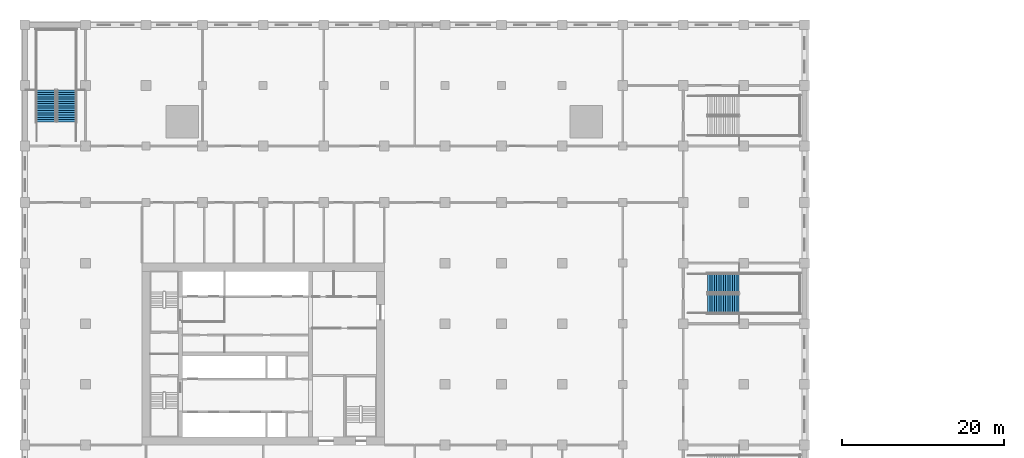
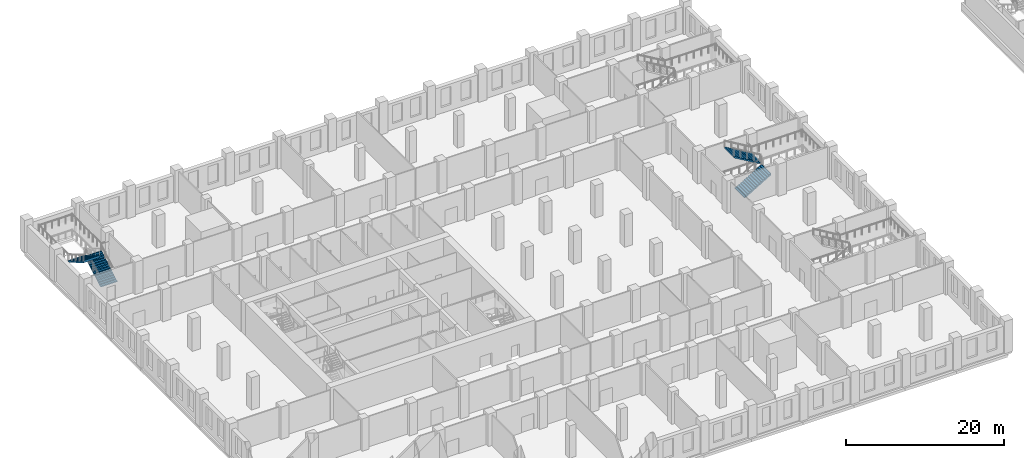
# One storey, part 17 of 32: 4 stair flights, 2 elements without a shape of their own.
"""IFC4 building model written with IfcOpenShell, lengths in metres."""

import ifcopenshell
import ifcopenshell.guid

model = None  # the IFC model being written
_history = None  # IfcOwnerHistory: only IFC2X3 demands one
_inside = {}  # id of a spatial element -> (the spatial element, [elements in it])
_under = {}  # id of a project, library or spatial element -> (it, [spatial elements below it])
_declared = {}  # id of a project -> (the project, [libraries it declares])
_typed = {}  # id of a type object -> (the type object, [elements of that type])
_made_of = {}  # id of a material, layer set ... -> (it, [elements and type objects made of it])


def new_model(schema):
    """Start an empty IFC model of exactly this schema.

    Asked for "IFC4X3", IfcOpenShell would pick the latest addendum, in which some entities
    have other attributes; the version numbers below select the first issue.
    IFC2X3 requires an IfcOwnerHistory on every rooted entity: one is made here for all.
    """
    global model, _history
    if schema == "IFC4X3":
        model = ifcopenshell.file(schema_version=(4, 3, 0, 0))
    else:
        model = ifcopenshell.file(schema=schema)
    _inside.clear()
    _under.clear()
    _declared.clear()
    _typed.clear()
    _made_of.clear()
    _history = None
    if model.schema == "IFC2X3":
        org = make("IfcOrganization", Name="unknown")
        user = make(
            "IfcPersonAndOrganization",
            ThePerson=make("IfcPerson", FamilyName="unknown"),
            TheOrganization=org,
        )
        app = make(
            "IfcApplication",
            ApplicationDeveloper=org,
            Version="unknown",
            ApplicationFullName="unknown",
            ApplicationIdentifier="unknown",
        )
        _history = make(
            "IfcOwnerHistory",
            OwningUser=user,
            OwningApplication=app,
            ChangeAction="ADDED",
            CreationDate=0,
        )
    return model


def make(cls, **values):
    """One entity of the class cls with the attributes given. An attribute that is None is left unset."""
    return model.create_entity(
        cls, **{name: value for name, value in values.items() if value is not None}
    )


def rooted(cls, **values):
    """An entity with a GlobalId (a new one), such as an element, a storey or a relation."""
    return make(cls, GlobalId=ifcopenshell.guid.new(), OwnerHistory=_history, **values)


def si_unit(unit_type, name, prefix=None):
    """IfcSIUnit, for example si_unit("LENGTHUNIT", "METRE", prefix="MILLI")."""
    return make("IfcSIUnit", UnitType=unit_type, Prefix=prefix, Name=name)


def assignment(units):
    """IfcUnitAssignment: the units of a project."""
    return None if units is None else make("IfcUnitAssignment", Units=units)


def point(xyz):
    """IfcCartesianPoint."""
    return None if xyz is None else make("IfcCartesianPoint", Coordinates=xyz)


def direction(xyz):
    """IfcDirection."""
    return None if xyz is None else make("IfcDirection", DirectionRatios=xyz)


def frame(location, z_axis=None, x_axis=None):
    """IfcAxis2Placement3D, a coordinate frame: its origin and axes. An axis left out is left unset."""
    return make(
        "IfcAxis2Placement3D",
        Location=point(location),
        Axis=direction(z_axis),
        RefDirection=direction(x_axis),
    )


def origin():
    """The frame at (0, 0, 0) with its axes left unset."""
    return frame((0.0, 0.0, 0.0))


def place(relative_to, where):
    """IfcLocalPlacement: puts the frame where relative to a parent placement (None: the world)."""
    return make(
        "IfcLocalPlacement", PlacementRelTo=relative_to, RelativePlacement=where
    )


def context(
    kind, dimensions, precision=None, world=None, true_north=None, identifier=None
):
    """IfcGeometricRepresentationContext, for example the 3D "Model" context."""
    return make(
        "IfcGeometricRepresentationContext",
        ContextIdentifier=identifier,
        ContextType=kind,
        CoordinateSpaceDimension=dimensions,
        Precision=precision,
        WorldCoordinateSystem=world,
        TrueNorth=true_north,
    )


def subcontext(parent, identifier, kind, view, scale=None):
    """IfcGeometricRepresentationSubContext, for example "Body" below "Model"."""
    return make(
        "IfcGeometricRepresentationSubContext",
        ContextIdentifier=identifier,
        ContextType=kind,
        ParentContext=parent,
        TargetScale=scale,
        TargetView=view,
    )


def project(units=None, contexts=None):
    """IfcProject with its units and contexts."""
    return rooted(
        "IfcProject",
        Name="project",
        RepresentationContexts=contexts,
        UnitsInContext=assignment(units),
    )


def spatial(cls, under=None, at=None, **own):
    """A site, building, storey or space (cls), placed at a placement, below another one or the project."""
    s = rooted(cls, ObjectPlacement=at, **own)
    if under is not None:
        _under.setdefault(under.id(), (under, []))[1].append(s)
    return s


def polyline(points):
    """IfcPolyline through the points."""
    return make("IfcPolyline", Points=[point(p) for p in points])


def outline(outer, holes=None, kind="AREA"):
    """IfcArbitraryClosedProfileDef: a profile drawn as a closed curve; with holes, ...WithVoids."""
    if holes is None:
        return make("IfcArbitraryClosedProfileDef", ProfileType=kind, OuterCurve=outer)
    return make(
        "IfcArbitraryProfileDefWithVoids",
        ProfileType=kind,
        OuterCurve=outer,
        InnerCurves=holes,
    )


def extrude(swept, where, along, depth):
    """IfcExtrudedAreaSolid: the profile swept, set in the frame where, extruded along a direction by depth."""
    return make(
        "IfcExtrudedAreaSolid",
        SweptArea=swept,
        Position=where,
        ExtrudedDirection=direction(along),
        Depth=depth,
    )


def shape(context_of_items, identifier, shape_type, items):
    """IfcShapeRepresentation: the items that make up one representation, for example the "Body"."""
    return make(
        "IfcShapeRepresentation",
        ContextOfItems=context_of_items,
        RepresentationIdentifier=identifier,
        RepresentationType=shape_type,
        Items=items,
    )


def material(Name=None, Category=None):
    """IfcMaterial."""
    return make("IfcMaterial", Name=Name, Category=Category)


def made_of(thing, what):
    """Note that an element or type object is made of a material, layer set ...; save() writes the relation."""
    if what is not None:
        _made_of.setdefault(what.id(), (what, []))[1].append(thing)
    return thing


def type_object(cls, material=None, **own):
    """A type object (cls), such as IfcWallType, which elements share."""
    return made_of(rooted(cls, **own), material)


def element(
    cls,
    number,
    at=None,
    inside=None,
    cuts=None,
    type_object=None,
    material=None,
    context=None,
    identifier="Body",
    shape_type=None,
    held_by="IfcProductDefinitionShape",
    body=None,
    shapes=None,
    **own,
):
    """One element of the class cls, such as IfcWall. Its Tag is "e" and its number.

    at: its placement. inside: the storey or other place that contains it. cuts: it is an
    opening in that element (IfcRelVoidsElement). A single representation is given by context,
    identifier, shape_type and body (its items); several are given by shapes. held_by: the class
    of the entity that holds the representations. save() writes the other relations.
    """
    e = rooted(cls, Tag="e%d" % number, ObjectPlacement=at, **own)
    if body is not None:
        shapes = [shape(context, identifier, shape_type, body)]
    if shapes is not None:
        e.Representation = make(held_by, Representations=shapes)
    if inside is not None:
        _inside.setdefault(inside.id(), (inside, []))[1].append(e)
    if cuts is not None:
        rooted(
            "IfcRelVoidsElement", RelatingBuildingElement=cuts, RelatedOpeningElement=e
        )
    if type_object is not None:
        _typed.setdefault(type_object.id(), (type_object, []))[1].append(e)
    return made_of(e, material)


def aggregate(whole, parts):
    """IfcRelAggregates: a whole, such as a stair, and the parts it consists of."""
    return rooted("IfcRelAggregates", RelatingObject=whole, RelatedObjects=parts)


def save(model, path):
    """Write the relations noted so far, then the file.

    IfcRelAggregates (storeys below a building ...), IfcRelContainedInSpatialStructure (elements
    in a storey), IfcRelDefinesByType, IfcRelAssociatesMaterial and IfcRelDeclares: one each for
    every whole, place, type object, material and project.
    """
    for whole, parts in _under.values():
        aggregate(whole, parts)
    for where, things in _inside.values():
        rooted(
            "IfcRelContainedInSpatialStructure",
            RelatedElements=things,
            RelatingStructure=where,
        )
    for kind, things in _typed.values():
        rooted("IfcRelDefinesByType", RelatedObjects=things, RelatingType=kind)
    for what, things in _made_of.values():
        rooted("IfcRelAssociatesMaterial", RelatedObjects=things, RelatingMaterial=what)
    for by, libraries in _declared.values():
        rooted("IfcRelDeclares", RelatingContext=by, RelatedDefinitions=libraries)
    model.write(path)


model = new_model("IFC4")

# Units and contexts
model_context = context("Model", 3, precision=1e-05, world=origin(), true_north=direction((0.0, 1.0)))
body_context = subcontext(model_context, "Body", "Model", "MODEL_VIEW")
ifc_project = project(units=[si_unit("LENGTHUNIT", "METRE"), si_unit("AREAUNIT", "SQUARE_METRE"), si_unit("VOLUMEUNIT", "CUBIC_METRE"), si_unit("PLANEANGLEUNIT", "RADIAN"), si_unit("MASSUNIT", "GRAM", prefix="KILO")], contexts=[model_context])

# Site, building, storey
site_placement = place(None, origin())
site = spatial("IfcSite", under=ifc_project, at=site_placement, CompositionType="ELEMENT")
building_placement = place(site_placement, origin())
building = spatial("IfcBuilding", under=site, at=building_placement, Name="Tamorin Gate", CompositionType="ELEMENT")
storey_placement = place(building_placement, frame((0.0, 0.0, 13.5)))
storey = spatial("IfcBuildingStorey", under=building, at=storey_placement, Name="L02", CompositionType="ELEMENT", Elevation=13.5)

# Stair, stair flights
ifc_material = material(Name="Reinforced concrete C32/40", Category="concrete")
stair_type = type_object("IfcStairType", Name="Podium stair PS", PredefinedType="HALF_TURN_STAIR", material=ifc_material)
stair_1_placement = place(storey_placement, origin())
stair_1 = element("IfcStair", 1, at=stair_1_placement, inside=storey, type_object=stair_type, Name="L02 Podium stair PS2", PredefinedType="HALF_TURN_STAIR")
stair_flight_type = type_object("IfcStairFlightType", Name="Stair flight 2400", PredefinedType="STRAIGHT", material=ifc_material)
stair_flight_1_placement = place(storey_placement, frame((20.675048828125, 100.0, 0.0), z_axis=(0.0, 0.0, 1.0), x_axis=(0.0, 1.0, 0.0)))
stair_flight_1 = element("IfcStairFlight", 2, at=stair_flight_1_placement, type_object=stair_flight_type, Name="PS2 flight 1", NumberOfRisers=15, NumberOfTreads=14, PredefinedType="STRAIGHT", RiserHeight=0.166666667, TreadLength=0.28, context=body_context, shape_type="SweptSolid", body=[
    extrude(outline(polyline([(-0.00048828125, 0.0), (-0.00048828125, 0.001708984375), (-0.00048828125, 0.00341796875), (-0.00048828125, 0.0048828125), (-0.00048828125, 0.006591796875), (-0.00048828125, 0.00830078125), (-0.00048828125, 0.010009765625), (-0.00048828125, 0.011474609375), (-0.00048828125, 0.01318359375), (-0.00048828125, 0.014892578125), (-0.00048828125, 0.0166015625), (-0.00048828125, 0.01806640625), (-0.00048828125, 0.019775390625), (-0.00048828125, 0.021484375), (-0.00048828125, 0.023193359375), (-0.00048828125, 0.024658203125), (-0.00048828125, 0.0263671875), (-0.00048828125, 0.028076171875), (-0.00048828125, 0.02978515625), (-0.00048828125, 0.03125), (-0.00048828125, 0.032958984375), (-0.00048828125, 0.03466796875), (-0.00048828125, 0.036376953125), (-0.00048828125, 0.037841796875), (-0.00048828125, 0.03955078125), (-0.00048828125, 0.041259765625), (-0.00048828125, 0.04296875), (-0.00048828125, 0.04443359375), (-0.00048828125, 0.046142578125), (-0.00048828125, 0.0478515625), (-0.00048828125, 0.049560546875), (-0.00048828125, 0.05126953125), (-0.00048828125, 0.052734375), (-0.00048828125, 0.054443359375), (-0.00048828125, 0.05615234375), (-0.00048828125, 0.057861328125), (-0.00048828125, 0.059326171875), (-0.00048828125, 0.06103515625), (-0.00048828125, 0.062744140625), (-0.00048828125, 0.064453125), (-0.00048828125, 0.06591796875), (-0.00048828125, 0.067626953125), (-0.00048828125, 0.0693359375), (-0.00048828125, 0.071044921875), (-0.00048828125, 0.072509765625), (-0.00048828125, 0.07421875), (-0.00048828125, 0.075927734375), (-0.00048828125, 0.07763671875), (-0.00048828125, 0.0791015625), (-0.00048828125, 0.080810546875), (-0.00048828125, 0.08251953125), (-0.00048828125, 0.084228515625), (-0.00048828125, 0.085693359375), (-0.00048828125, 0.08740234375), (-0.00048828125, 0.089111328125), (-0.00048828125, 0.0908203125), (-0.00048828125, 0.092529296875), (-0.00048828125, 0.093994140625), (-0.00048828125, 0.095703125), (-0.00048828125, 0.097412109375), (-0.00048828125, 0.09912109375), (-0.00048828125, 0.1005859375), (-0.00048828125, 0.102294921875), (-0.00048828125, 0.10400390625), (-0.00048828125, 0.105712890625), (-0.00048828125, 0.107177734375), (-0.00048828125, 0.10888671875), (-0.00048828125, 0.110595703125), (-0.00048828125, 0.1123046875), (-0.00048828125, 0.11376953125), (-0.00048828125, 0.115478515625), (-0.00048828125, 0.1171875), (-0.00048828125, 0.118896484375), (-0.00048828125, 0.120361328125), (-0.00048828125, 0.1220703125), (-0.00048828125, 0.123779296875), (-0.00048828125, 0.12548828125), (-0.00048828125, 0.126953125), (-0.00048828125, 0.128662109375), (-0.00048828125, 0.13037109375), (-0.00048828125, 0.132080078125), (-0.00048828125, 0.133544921875), (-0.00048828125, 0.13525390625), (-0.00048828125, 0.136962890625), (-0.00048828125, 0.138671875), (-0.00048828125, 0.140380859375), (-0.00048828125, 0.141845703125), (-0.00048828125, 0.1435546875), (-0.00048828125, 0.145263671875), (-0.00048828125, 0.14697265625), (-0.00048828125, 0.1484375), (-0.00048828125, 0.150146484375), (-0.00048828125, 0.15185546875), (-0.00048828125, 0.153564453125), (-0.00048828125, 0.155029296875), (-0.00048828125, 0.15673828125), (-0.00048828125, 0.158447265625), (-0.00048828125, 0.16015625), (-0.00048828125, 0.16162109375), (-0.00048828125, 0.163330078125), (-0.00048828125, 0.1650390625), (-0.00048828125, 0.166748046875), (0.280029296875, 0.166748046875), (0.280029296875, 0.333251953125), (0.56005859375, 0.333251953125), (0.56005859375, 0.5), (0.840087890625, 0.5), (0.840087890625, 0.666748046875), (1.1201171875, 0.666748046875), (1.1201171875, 0.833251953125), (1.39990234375, 0.833251953125), (1.39990234375, 1.0), (1.679931640625, 1.0), (1.679931640625, 1.166748046875), (1.9599609375, 1.166748046875), (1.9599609375, 1.333251953125), (2.239990234375, 1.333251953125), (2.239990234375, 1.5), (2.52001953125, 1.5), (2.52001953125, 1.666748046875), (2.800048828125, 1.666748046875), (2.800048828125, 1.833251953125), (3.080078125, 1.833251953125), (3.080078125, 2.0), (3.360107421875, 2.0), (3.360107421875, 2.166748046875), (3.639892578125, 2.166748046875), (3.639892578125, 2.333251953125), (3.919921875, 2.333251953125), (3.919921875, 2.5), (3.92041015625, 2.5), (3.92041015625, 2.49658203125), (3.92041015625, 2.4931640625), (3.92041015625, 2.48974609375), (3.92041015625, 2.486572265625), (3.92041015625, 2.483154296875), (3.92041015625, 2.479736328125), (3.92041015625, 2.476318359375), (3.92041015625, 2.472900390625), (3.92041015625, 2.469482421875), (3.92041015625, 2.46630859375), (3.92041015625, 2.462890625), (3.92041015625, 2.45947265625), (3.92041015625, 2.4560546875), (3.92041015625, 2.45263671875), (3.92041015625, 2.44921875), (3.92041015625, 2.446044921875), (3.92041015625, 2.442626953125), (3.92041015625, 2.439208984375), (3.92041015625, 2.435791015625), (3.92041015625, 2.432373046875), (3.92041015625, 2.428955078125), (3.92041015625, 2.42578125), (3.92041015625, 2.42236328125), (3.92041015625, 2.4189453125), (3.92041015625, 2.41552734375), (3.92041015625, 2.412109375), (3.92041015625, 2.40869140625), (3.92041015625, 2.405517578125), (3.92041015625, 2.402099609375), (3.92041015625, 2.398681640625), (3.92041015625, 2.395263671875), (3.92041015625, 2.391845703125), (3.92041015625, 2.388427734375), (3.92041015625, 2.38525390625), (3.92041015625, 2.3818359375), (3.92041015625, 2.37841796875), (3.92041015625, 2.375), (3.92041015625, 2.37158203125), (3.92041015625, 2.3681640625), (3.92041015625, 2.364990234375), (3.92041015625, 2.361572265625), (3.92041015625, 2.358154296875), (3.92041015625, 2.354736328125), (3.92041015625, 2.351318359375), (3.92041015625, 2.347900390625), (3.92041015625, 2.3447265625), (3.92041015625, 2.34130859375), (3.92041015625, 2.337890625), (3.92041015625, 2.33447265625), (3.92041015625, 2.3310546875), (3.92041015625, 2.32763671875), (3.92041015625, 2.324462890625), (3.92041015625, 2.321044921875), (3.92041015625, 2.317626953125), (3.92041015625, 2.314208984375), (3.92041015625, 2.310791015625), (3.92041015625, 2.307373046875), (3.92041015625, 2.30419921875), (3.92041015625, 2.30078125), (3.92041015625, 2.29736328125), (3.92041015625, 2.2939453125), (3.92041015625, 2.29052734375), (3.92041015625, 2.287109375), (3.92041015625, 2.283935546875), (3.92041015625, 2.280517578125), (3.92041015625, 2.277099609375), (3.92041015625, 2.273681640625), (3.92041015625, 2.270263671875), (3.92041015625, 2.266845703125), (3.92041015625, 2.263671875), (3.92041015625, 2.26025390625), (3.92041015625, 2.2568359375), (3.92041015625, 2.25341796875), (3.92041015625, 2.25), (3.92041015625, 2.24658203125), (3.92041015625, 2.243408203125), (3.92041015625, 2.239990234375), (3.92041015625, 2.236572265625), (3.92041015625, 2.233154296875), (3.92041015625, 2.229736328125), (3.92041015625, 2.226318359375), (3.92041015625, 2.22314453125), (3.92041015625, 2.2197265625), (3.92041015625, 2.21630859375), (3.92041015625, 2.212890625), (3.92041015625, 2.20947265625), (3.92041015625, 2.2060546875), (3.92041015625, 2.202880859375), (3.92041015625, 2.199462890625), (3.92041015625, 2.196044921875), (3.92041015625, 2.192626953125), (3.92041015625, 2.189208984375), (3.92041015625, 2.185791015625), (3.92041015625, 2.1826171875), (3.92041015625, 2.17919921875), (3.92041015625, 2.17578125), (3.92041015625, 2.17236328125), (3.92041015625, 2.1689453125), (3.92041015625, 2.16552734375), (3.92041015625, 2.162353515625), (3.92041015625, 2.158935546875), (3.919921875, 2.158935546875), (0.29296875, 0.0), (-0.00048828125, 0.0)])), frame((0.0, 1.199951171875, 0.0), z_axis=(0.0, -1.0, 0.0), x_axis=(1.0, 0.0, 0.0)), (0.0, 0.0, 1.0), 2.39990234375),
])
stair_flight_2_placement = place(storey_placement, frame((18.125, 103.919921875, 2.5), z_axis=(0.0, 0.0, 1.0), x_axis=(0.0, -1.0, 0.0)))
stair_flight_2 = element("IfcStairFlight", 3, at=stair_flight_2_placement, type_object=stair_flight_type, Name="PS2 flight 2", NumberOfRisers=15, NumberOfTreads=14, PredefinedType="STRAIGHT", RiserHeight=0.166666667, TreadLength=0.28, context=body_context, shape_type="SweptSolid", body=[
    extrude(outline(polyline([(-0.00048828125, 0.0), (-0.00048828125, 0.001708984375), (-0.00048828125, 0.00341796875), (-0.00048828125, 0.0048828125), (-0.00048828125, 0.006591796875), (-0.00048828125, 0.00830078125), (-0.00048828125, 0.010009765625), (-0.00048828125, 0.011474609375), (-0.00048828125, 0.01318359375), (-0.00048828125, 0.014892578125), (-0.00048828125, 0.0166015625), (-0.00048828125, 0.01806640625), (-0.00048828125, 0.019775390625), (-0.00048828125, 0.021484375), (-0.00048828125, 0.023193359375), (-0.00048828125, 0.024658203125), (-0.00048828125, 0.0263671875), (-0.00048828125, 0.028076171875), (-0.00048828125, 0.02978515625), (-0.00048828125, 0.03125), (-0.00048828125, 0.032958984375), (-0.00048828125, 0.03466796875), (-0.00048828125, 0.036376953125), (-0.00048828125, 0.037841796875), (-0.00048828125, 0.03955078125), (-0.00048828125, 0.041259765625), (-0.00048828125, 0.04296875), (-0.00048828125, 0.04443359375), (-0.00048828125, 0.046142578125), (-0.00048828125, 0.0478515625), (-0.00048828125, 0.049560546875), (-0.00048828125, 0.05126953125), (-0.00048828125, 0.052734375), (-0.00048828125, 0.054443359375), (-0.00048828125, 0.05615234375), (-0.00048828125, 0.057861328125), (-0.00048828125, 0.059326171875), (-0.00048828125, 0.06103515625), (-0.00048828125, 0.062744140625), (-0.00048828125, 0.064453125), (-0.00048828125, 0.06591796875), (-0.00048828125, 0.067626953125), (-0.00048828125, 0.0693359375), (-0.00048828125, 0.071044921875), (-0.00048828125, 0.072509765625), (-0.00048828125, 0.07421875), (-0.00048828125, 0.075927734375), (-0.00048828125, 0.07763671875), (-0.00048828125, 0.0791015625), (-0.00048828125, 0.080810546875), (-0.00048828125, 0.08251953125), (-0.00048828125, 0.084228515625), (-0.00048828125, 0.085693359375), (-0.00048828125, 0.08740234375), (-0.00048828125, 0.089111328125), (-0.00048828125, 0.0908203125), (-0.00048828125, 0.092529296875), (-0.00048828125, 0.093994140625), (-0.00048828125, 0.095703125), (-0.00048828125, 0.097412109375), (-0.00048828125, 0.09912109375), (-0.00048828125, 0.1005859375), (-0.00048828125, 0.102294921875), (-0.00048828125, 0.10400390625), (-0.00048828125, 0.105712890625), (-0.00048828125, 0.107177734375), (-0.00048828125, 0.10888671875), (-0.00048828125, 0.110595703125), (-0.00048828125, 0.1123046875), (-0.00048828125, 0.11376953125), (-0.00048828125, 0.115478515625), (-0.00048828125, 0.1171875), (-0.00048828125, 0.118896484375), (-0.00048828125, 0.120361328125), (-0.00048828125, 0.1220703125), (-0.00048828125, 0.123779296875), (-0.00048828125, 0.12548828125), (-0.00048828125, 0.126953125), (-0.00048828125, 0.128662109375), (-0.00048828125, 0.13037109375), (-0.00048828125, 0.132080078125), (-0.00048828125, 0.133544921875), (-0.00048828125, 0.13525390625), (-0.00048828125, 0.136962890625), (-0.00048828125, 0.138671875), (-0.00048828125, 0.140380859375), (-0.00048828125, 0.141845703125), (-0.00048828125, 0.1435546875), (-0.00048828125, 0.145263671875), (-0.00048828125, 0.14697265625), (-0.00048828125, 0.1484375), (-0.00048828125, 0.150146484375), (-0.00048828125, 0.15185546875), (-0.00048828125, 0.153564453125), (-0.00048828125, 0.155029296875), (-0.00048828125, 0.15673828125), (-0.00048828125, 0.158447265625), (-0.00048828125, 0.16015625), (-0.00048828125, 0.16162109375), (-0.00048828125, 0.163330078125), (-0.00048828125, 0.1650390625), (-0.00048828125, 0.166748046875), (0.280029296875, 0.166748046875), (0.280029296875, 0.333251953125), (0.56005859375, 0.333251953125), (0.56005859375, 0.5), (0.840087890625, 0.5), (0.840087890625, 0.666748046875), (1.1201171875, 0.666748046875), (1.1201171875, 0.833251953125), (1.39990234375, 0.833251953125), (1.39990234375, 1.0), (1.679931640625, 1.0), (1.679931640625, 1.166748046875), (1.9599609375, 1.166748046875), (1.9599609375, 1.333251953125), (2.239990234375, 1.333251953125), (2.239990234375, 1.5), (2.52001953125, 1.5), (2.52001953125, 1.666748046875), (2.800048828125, 1.666748046875), (2.800048828125, 1.833251953125), (3.080078125, 1.833251953125), (3.080078125, 2.0), (3.360107421875, 2.0), (3.360107421875, 2.166748046875), (3.639892578125, 2.166748046875), (3.639892578125, 2.333251953125), (3.919921875, 2.333251953125), (3.919921875, 2.5), (3.92041015625, 2.5), (3.92041015625, 2.49658203125), (3.92041015625, 2.4931640625), (3.92041015625, 2.48974609375), (3.92041015625, 2.486572265625), (3.92041015625, 2.483154296875), (3.92041015625, 2.479736328125), (3.92041015625, 2.476318359375), (3.92041015625, 2.472900390625), (3.92041015625, 2.469482421875), (3.92041015625, 2.46630859375), (3.92041015625, 2.462890625), (3.92041015625, 2.45947265625), (3.92041015625, 2.4560546875), (3.92041015625, 2.45263671875), (3.92041015625, 2.44921875), (3.92041015625, 2.446044921875), (3.92041015625, 2.442626953125), (3.92041015625, 2.439208984375), (3.92041015625, 2.435791015625), (3.92041015625, 2.432373046875), (3.92041015625, 2.428955078125), (3.92041015625, 2.42578125), (3.92041015625, 2.42236328125), (3.92041015625, 2.4189453125), (3.92041015625, 2.41552734375), (3.92041015625, 2.412109375), (3.92041015625, 2.40869140625), (3.92041015625, 2.405517578125), (3.92041015625, 2.402099609375), (3.92041015625, 2.398681640625), (3.92041015625, 2.395263671875), (3.92041015625, 2.391845703125), (3.92041015625, 2.388427734375), (3.92041015625, 2.38525390625), (3.92041015625, 2.3818359375), (3.92041015625, 2.37841796875), (3.92041015625, 2.375), (3.92041015625, 2.37158203125), (3.92041015625, 2.3681640625), (3.92041015625, 2.364990234375), (3.92041015625, 2.361572265625), (3.92041015625, 2.358154296875), (3.92041015625, 2.354736328125), (3.92041015625, 2.351318359375), (3.92041015625, 2.347900390625), (3.92041015625, 2.3447265625), (3.92041015625, 2.34130859375), (3.92041015625, 2.337890625), (3.92041015625, 2.33447265625), (3.92041015625, 2.3310546875), (3.92041015625, 2.32763671875), (3.92041015625, 2.324462890625), (3.92041015625, 2.321044921875), (3.92041015625, 2.317626953125), (3.92041015625, 2.314208984375), (3.92041015625, 2.310791015625), (3.92041015625, 2.307373046875), (3.92041015625, 2.30419921875), (3.92041015625, 2.30078125), (3.92041015625, 2.29736328125), (3.92041015625, 2.2939453125), (3.92041015625, 2.29052734375), (3.92041015625, 2.287109375), (3.92041015625, 2.283935546875), (3.92041015625, 2.280517578125), (3.92041015625, 2.277099609375), (3.92041015625, 2.273681640625), (3.92041015625, 2.270263671875), (3.92041015625, 2.266845703125), (3.92041015625, 2.263671875), (3.92041015625, 2.26025390625), (3.92041015625, 2.2568359375), (3.92041015625, 2.25341796875), (3.92041015625, 2.25), (3.92041015625, 2.24658203125), (3.92041015625, 2.243408203125), (3.92041015625, 2.239990234375), (3.92041015625, 2.236572265625), (3.92041015625, 2.233154296875), (3.92041015625, 2.229736328125), (3.92041015625, 2.226318359375), (3.92041015625, 2.22314453125), (3.92041015625, 2.2197265625), (3.92041015625, 2.21630859375), (3.92041015625, 2.212890625), (3.92041015625, 2.20947265625), (3.92041015625, 2.2060546875), (3.92041015625, 2.202880859375), (3.92041015625, 2.199462890625), (3.92041015625, 2.196044921875), (3.92041015625, 2.192626953125), (3.92041015625, 2.189208984375), (3.92041015625, 2.185791015625), (3.92041015625, 2.1826171875), (3.92041015625, 2.17919921875), (3.92041015625, 2.17578125), (3.92041015625, 2.17236328125), (3.92041015625, 2.1689453125), (3.92041015625, 2.16552734375), (3.92041015625, 2.162353515625), (3.92041015625, 2.158935546875), (3.919921875, 2.158935546875), (0.29296875, 0.0), (-0.00048828125, 0.0)])), frame((0.0, 1.199951171875, 0.0), z_axis=(0.0, -1.0, 0.0), x_axis=(1.0, 0.0, 0.0)), (0.0, 0.0, 1.0), 2.39990234375),
])
aggregate(stair_1, [stair_flight_1, stair_flight_2])

stair_2_placement = place(storey_placement, origin())
stair_2 = element("IfcStair", 4, at=stair_2_placement, inside=storey, type_object=stair_type, Name="L02 Podium stair PS5", PredefinedType="HALF_TURN_STAIR")
stair_flight_3_placement = place(storey_placement, frame((100.0, 77.47509765625, 0.0), z_axis=(0.0, 0.0, 1.0), x_axis=(1.0, 0.0, 0.0)))
stair_flight_3 = element("IfcStairFlight", 5, at=stair_flight_3_placement, type_object=stair_flight_type, Name="PS5 flight 1", NumberOfRisers=15, NumberOfTreads=14, PredefinedType="STRAIGHT", RiserHeight=0.166666667, TreadLength=0.28, context=body_context, shape_type="SweptSolid", body=[
    extrude(outline(polyline([(-0.00048828125, 0.0), (-0.00048828125, 0.001708984375), (-0.00048828125, 0.00341796875), (-0.00048828125, 0.0048828125), (-0.00048828125, 0.006591796875), (-0.00048828125, 0.00830078125), (-0.00048828125, 0.010009765625), (-0.00048828125, 0.011474609375), (-0.00048828125, 0.01318359375), (-0.00048828125, 0.014892578125), (-0.00048828125, 0.0166015625), (-0.00048828125, 0.01806640625), (-0.00048828125, 0.019775390625), (-0.00048828125, 0.021484375), (-0.00048828125, 0.023193359375), (-0.00048828125, 0.024658203125), (-0.00048828125, 0.0263671875), (-0.00048828125, 0.028076171875), (-0.00048828125, 0.02978515625), (-0.00048828125, 0.03125), (-0.00048828125, 0.032958984375), (-0.00048828125, 0.03466796875), (-0.00048828125, 0.036376953125), (-0.00048828125, 0.037841796875), (-0.00048828125, 0.03955078125), (-0.00048828125, 0.041259765625), (-0.00048828125, 0.04296875), (-0.00048828125, 0.04443359375), (-0.00048828125, 0.046142578125), (-0.00048828125, 0.0478515625), (-0.00048828125, 0.049560546875), (-0.00048828125, 0.05126953125), (-0.00048828125, 0.052734375), (-0.00048828125, 0.054443359375), (-0.00048828125, 0.05615234375), (-0.00048828125, 0.057861328125), (-0.00048828125, 0.059326171875), (-0.00048828125, 0.06103515625), (-0.00048828125, 0.062744140625), (-0.00048828125, 0.064453125), (-0.00048828125, 0.06591796875), (-0.00048828125, 0.067626953125), (-0.00048828125, 0.0693359375), (-0.00048828125, 0.071044921875), (-0.00048828125, 0.072509765625), (-0.00048828125, 0.07421875), (-0.00048828125, 0.075927734375), (-0.00048828125, 0.07763671875), (-0.00048828125, 0.0791015625), (-0.00048828125, 0.080810546875), (-0.00048828125, 0.08251953125), (-0.00048828125, 0.084228515625), (-0.00048828125, 0.085693359375), (-0.00048828125, 0.08740234375), (-0.00048828125, 0.089111328125), (-0.00048828125, 0.0908203125), (-0.00048828125, 0.092529296875), (-0.00048828125, 0.093994140625), (-0.00048828125, 0.095703125), (-0.00048828125, 0.097412109375), (-0.00048828125, 0.09912109375), (-0.00048828125, 0.1005859375), (-0.00048828125, 0.102294921875), (-0.00048828125, 0.10400390625), (-0.00048828125, 0.105712890625), (-0.00048828125, 0.107177734375), (-0.00048828125, 0.10888671875), (-0.00048828125, 0.110595703125), (-0.00048828125, 0.1123046875), (-0.00048828125, 0.11376953125), (-0.00048828125, 0.115478515625), (-0.00048828125, 0.1171875), (-0.00048828125, 0.118896484375), (-0.00048828125, 0.120361328125), (-0.00048828125, 0.1220703125), (-0.00048828125, 0.123779296875), (-0.00048828125, 0.12548828125), (-0.00048828125, 0.126953125), (-0.00048828125, 0.128662109375), (-0.00048828125, 0.13037109375), (-0.00048828125, 0.132080078125), (-0.00048828125, 0.133544921875), (-0.00048828125, 0.13525390625), (-0.00048828125, 0.136962890625), (-0.00048828125, 0.138671875), (-0.00048828125, 0.140380859375), (-0.00048828125, 0.141845703125), (-0.00048828125, 0.1435546875), (-0.00048828125, 0.145263671875), (-0.00048828125, 0.14697265625), (-0.00048828125, 0.1484375), (-0.00048828125, 0.150146484375), (-0.00048828125, 0.15185546875), (-0.00048828125, 0.153564453125), (-0.00048828125, 0.155029296875), (-0.00048828125, 0.15673828125), (-0.00048828125, 0.158447265625), (-0.00048828125, 0.16015625), (-0.00048828125, 0.16162109375), (-0.00048828125, 0.163330078125), (-0.00048828125, 0.1650390625), (-0.00048828125, 0.166748046875), (0.280029296875, 0.166748046875), (0.280029296875, 0.333251953125), (0.56005859375, 0.333251953125), (0.56005859375, 0.5), (0.840087890625, 0.5), (0.840087890625, 0.666748046875), (1.1201171875, 0.666748046875), (1.1201171875, 0.833251953125), (1.39990234375, 0.833251953125), (1.39990234375, 1.0), (1.679931640625, 1.0), (1.679931640625, 1.166748046875), (1.9599609375, 1.166748046875), (1.9599609375, 1.333251953125), (2.239990234375, 1.333251953125), (2.239990234375, 1.5), (2.52001953125, 1.5), (2.52001953125, 1.666748046875), (2.800048828125, 1.666748046875), (2.800048828125, 1.833251953125), (3.080078125, 1.833251953125), (3.080078125, 2.0), (3.360107421875, 2.0), (3.360107421875, 2.166748046875), (3.639892578125, 2.166748046875), (3.639892578125, 2.333251953125), (3.919921875, 2.333251953125), (3.919921875, 2.5), (3.92041015625, 2.5), (3.92041015625, 2.49658203125), (3.92041015625, 2.4931640625), (3.92041015625, 2.48974609375), (3.92041015625, 2.486572265625), (3.92041015625, 2.483154296875), (3.92041015625, 2.479736328125), (3.92041015625, 2.476318359375), (3.92041015625, 2.472900390625), (3.92041015625, 2.469482421875), (3.92041015625, 2.46630859375), (3.92041015625, 2.462890625), (3.92041015625, 2.45947265625), (3.92041015625, 2.4560546875), (3.92041015625, 2.45263671875), (3.92041015625, 2.44921875), (3.92041015625, 2.446044921875), (3.92041015625, 2.442626953125), (3.92041015625, 2.439208984375), (3.92041015625, 2.435791015625), (3.92041015625, 2.432373046875), (3.92041015625, 2.428955078125), (3.92041015625, 2.42578125), (3.92041015625, 2.42236328125), (3.92041015625, 2.4189453125), (3.92041015625, 2.41552734375), (3.92041015625, 2.412109375), (3.92041015625, 2.40869140625), (3.92041015625, 2.405517578125), (3.92041015625, 2.402099609375), (3.92041015625, 2.398681640625), (3.92041015625, 2.395263671875), (3.92041015625, 2.391845703125), (3.92041015625, 2.388427734375), (3.92041015625, 2.38525390625), (3.92041015625, 2.3818359375), (3.92041015625, 2.37841796875), (3.92041015625, 2.375), (3.92041015625, 2.37158203125), (3.92041015625, 2.3681640625), (3.92041015625, 2.364990234375), (3.92041015625, 2.361572265625), (3.92041015625, 2.358154296875), (3.92041015625, 2.354736328125), (3.92041015625, 2.351318359375), (3.92041015625, 2.347900390625), (3.92041015625, 2.3447265625), (3.92041015625, 2.34130859375), (3.92041015625, 2.337890625), (3.92041015625, 2.33447265625), (3.92041015625, 2.3310546875), (3.92041015625, 2.32763671875), (3.92041015625, 2.324462890625), (3.92041015625, 2.321044921875), (3.92041015625, 2.317626953125), (3.92041015625, 2.314208984375), (3.92041015625, 2.310791015625), (3.92041015625, 2.307373046875), (3.92041015625, 2.30419921875), (3.92041015625, 2.30078125), (3.92041015625, 2.29736328125), (3.92041015625, 2.2939453125), (3.92041015625, 2.29052734375), (3.92041015625, 2.287109375), (3.92041015625, 2.283935546875), (3.92041015625, 2.280517578125), (3.92041015625, 2.277099609375), (3.92041015625, 2.273681640625), (3.92041015625, 2.270263671875), (3.92041015625, 2.266845703125), (3.92041015625, 2.263671875), (3.92041015625, 2.26025390625), (3.92041015625, 2.2568359375), (3.92041015625, 2.25341796875), (3.92041015625, 2.25), (3.92041015625, 2.24658203125), (3.92041015625, 2.243408203125), (3.92041015625, 2.239990234375), (3.92041015625, 2.236572265625), (3.92041015625, 2.233154296875), (3.92041015625, 2.229736328125), (3.92041015625, 2.226318359375), (3.92041015625, 2.22314453125), (3.92041015625, 2.2197265625), (3.92041015625, 2.21630859375), (3.92041015625, 2.212890625), (3.92041015625, 2.20947265625), (3.92041015625, 2.2060546875), (3.92041015625, 2.202880859375), (3.92041015625, 2.199462890625), (3.92041015625, 2.196044921875), (3.92041015625, 2.192626953125), (3.92041015625, 2.189208984375), (3.92041015625, 2.185791015625), (3.92041015625, 2.1826171875), (3.92041015625, 2.17919921875), (3.92041015625, 2.17578125), (3.92041015625, 2.17236328125), (3.92041015625, 2.1689453125), (3.92041015625, 2.16552734375), (3.92041015625, 2.162353515625), (3.92041015625, 2.158935546875), (3.919921875, 2.158935546875), (0.29296875, 0.0), (-0.00048828125, 0.0)])), frame((0.0, 1.199951171875, 0.0), z_axis=(0.0, -1.0, 0.0), x_axis=(1.0, 0.0, 0.0)), (0.0, 0.0, 1.0), 2.39990234375),
])
stair_flight_4_placement = place(storey_placement, frame((103.919921875, 80.02490234375, 2.5), z_axis=(0.0, 0.0, 1.0), x_axis=(-1.0, 0.0, 0.0)))
stair_flight_4 = element("IfcStairFlight", 6, at=stair_flight_4_placement, type_object=stair_flight_type, Name="PS5 flight 2", NumberOfRisers=15, NumberOfTreads=14, PredefinedType="STRAIGHT", RiserHeight=0.166666667, TreadLength=0.28, context=body_context, shape_type="SweptSolid", body=[
    extrude(outline(polyline([(-0.00048828125, 0.0), (-0.00048828125, 0.001708984375), (-0.00048828125, 0.00341796875), (-0.00048828125, 0.0048828125), (-0.00048828125, 0.006591796875), (-0.00048828125, 0.00830078125), (-0.00048828125, 0.010009765625), (-0.00048828125, 0.011474609375), (-0.00048828125, 0.01318359375), (-0.00048828125, 0.014892578125), (-0.00048828125, 0.0166015625), (-0.00048828125, 0.01806640625), (-0.00048828125, 0.019775390625), (-0.00048828125, 0.021484375), (-0.00048828125, 0.023193359375), (-0.00048828125, 0.024658203125), (-0.00048828125, 0.0263671875), (-0.00048828125, 0.028076171875), (-0.00048828125, 0.02978515625), (-0.00048828125, 0.03125), (-0.00048828125, 0.032958984375), (-0.00048828125, 0.03466796875), (-0.00048828125, 0.036376953125), (-0.00048828125, 0.037841796875), (-0.00048828125, 0.03955078125), (-0.00048828125, 0.041259765625), (-0.00048828125, 0.04296875), (-0.00048828125, 0.04443359375), (-0.00048828125, 0.046142578125), (-0.00048828125, 0.0478515625), (-0.00048828125, 0.049560546875), (-0.00048828125, 0.05126953125), (-0.00048828125, 0.052734375), (-0.00048828125, 0.054443359375), (-0.00048828125, 0.05615234375), (-0.00048828125, 0.057861328125), (-0.00048828125, 0.059326171875), (-0.00048828125, 0.06103515625), (-0.00048828125, 0.062744140625), (-0.00048828125, 0.064453125), (-0.00048828125, 0.06591796875), (-0.00048828125, 0.067626953125), (-0.00048828125, 0.0693359375), (-0.00048828125, 0.071044921875), (-0.00048828125, 0.072509765625), (-0.00048828125, 0.07421875), (-0.00048828125, 0.075927734375), (-0.00048828125, 0.07763671875), (-0.00048828125, 0.0791015625), (-0.00048828125, 0.080810546875), (-0.00048828125, 0.08251953125), (-0.00048828125, 0.084228515625), (-0.00048828125, 0.085693359375), (-0.00048828125, 0.08740234375), (-0.00048828125, 0.089111328125), (-0.00048828125, 0.0908203125), (-0.00048828125, 0.092529296875), (-0.00048828125, 0.093994140625), (-0.00048828125, 0.095703125), (-0.00048828125, 0.097412109375), (-0.00048828125, 0.09912109375), (-0.00048828125, 0.1005859375), (-0.00048828125, 0.102294921875), (-0.00048828125, 0.10400390625), (-0.00048828125, 0.105712890625), (-0.00048828125, 0.107177734375), (-0.00048828125, 0.10888671875), (-0.00048828125, 0.110595703125), (-0.00048828125, 0.1123046875), (-0.00048828125, 0.11376953125), (-0.00048828125, 0.115478515625), (-0.00048828125, 0.1171875), (-0.00048828125, 0.118896484375), (-0.00048828125, 0.120361328125), (-0.00048828125, 0.1220703125), (-0.00048828125, 0.123779296875), (-0.00048828125, 0.12548828125), (-0.00048828125, 0.126953125), (-0.00048828125, 0.128662109375), (-0.00048828125, 0.13037109375), (-0.00048828125, 0.132080078125), (-0.00048828125, 0.133544921875), (-0.00048828125, 0.13525390625), (-0.00048828125, 0.136962890625), (-0.00048828125, 0.138671875), (-0.00048828125, 0.140380859375), (-0.00048828125, 0.141845703125), (-0.00048828125, 0.1435546875), (-0.00048828125, 0.145263671875), (-0.00048828125, 0.14697265625), (-0.00048828125, 0.1484375), (-0.00048828125, 0.150146484375), (-0.00048828125, 0.15185546875), (-0.00048828125, 0.153564453125), (-0.00048828125, 0.155029296875), (-0.00048828125, 0.15673828125), (-0.00048828125, 0.158447265625), (-0.00048828125, 0.16015625), (-0.00048828125, 0.16162109375), (-0.00048828125, 0.163330078125), (-0.00048828125, 0.1650390625), (-0.00048828125, 0.166748046875), (0.280029296875, 0.166748046875), (0.280029296875, 0.333251953125), (0.56005859375, 0.333251953125), (0.56005859375, 0.5), (0.840087890625, 0.5), (0.840087890625, 0.666748046875), (1.1201171875, 0.666748046875), (1.1201171875, 0.833251953125), (1.39990234375, 0.833251953125), (1.39990234375, 1.0), (1.679931640625, 1.0), (1.679931640625, 1.166748046875), (1.9599609375, 1.166748046875), (1.9599609375, 1.333251953125), (2.239990234375, 1.333251953125), (2.239990234375, 1.5), (2.52001953125, 1.5), (2.52001953125, 1.666748046875), (2.800048828125, 1.666748046875), (2.800048828125, 1.833251953125), (3.080078125, 1.833251953125), (3.080078125, 2.0), (3.360107421875, 2.0), (3.360107421875, 2.166748046875), (3.639892578125, 2.166748046875), (3.639892578125, 2.333251953125), (3.919921875, 2.333251953125), (3.919921875, 2.5), (3.92041015625, 2.5), (3.92041015625, 2.49658203125), (3.92041015625, 2.4931640625), (3.92041015625, 2.48974609375), (3.92041015625, 2.486572265625), (3.92041015625, 2.483154296875), (3.92041015625, 2.479736328125), (3.92041015625, 2.476318359375), (3.92041015625, 2.472900390625), (3.92041015625, 2.469482421875), (3.92041015625, 2.46630859375), (3.92041015625, 2.462890625), (3.92041015625, 2.45947265625), (3.92041015625, 2.4560546875), (3.92041015625, 2.45263671875), (3.92041015625, 2.44921875), (3.92041015625, 2.446044921875), (3.92041015625, 2.442626953125), (3.92041015625, 2.439208984375), (3.92041015625, 2.435791015625), (3.92041015625, 2.432373046875), (3.92041015625, 2.428955078125), (3.92041015625, 2.42578125), (3.92041015625, 2.42236328125), (3.92041015625, 2.4189453125), (3.92041015625, 2.41552734375), (3.92041015625, 2.412109375), (3.92041015625, 2.40869140625), (3.92041015625, 2.405517578125), (3.92041015625, 2.402099609375), (3.92041015625, 2.398681640625), (3.92041015625, 2.395263671875), (3.92041015625, 2.391845703125), (3.92041015625, 2.388427734375), (3.92041015625, 2.38525390625), (3.92041015625, 2.3818359375), (3.92041015625, 2.37841796875), (3.92041015625, 2.375), (3.92041015625, 2.37158203125), (3.92041015625, 2.3681640625), (3.92041015625, 2.364990234375), (3.92041015625, 2.361572265625), (3.92041015625, 2.358154296875), (3.92041015625, 2.354736328125), (3.92041015625, 2.351318359375), (3.92041015625, 2.347900390625), (3.92041015625, 2.3447265625), (3.92041015625, 2.34130859375), (3.92041015625, 2.337890625), (3.92041015625, 2.33447265625), (3.92041015625, 2.3310546875), (3.92041015625, 2.32763671875), (3.92041015625, 2.324462890625), (3.92041015625, 2.321044921875), (3.92041015625, 2.317626953125), (3.92041015625, 2.314208984375), (3.92041015625, 2.310791015625), (3.92041015625, 2.307373046875), (3.92041015625, 2.30419921875), (3.92041015625, 2.30078125), (3.92041015625, 2.29736328125), (3.92041015625, 2.2939453125), (3.92041015625, 2.29052734375), (3.92041015625, 2.287109375), (3.92041015625, 2.283935546875), (3.92041015625, 2.280517578125), (3.92041015625, 2.277099609375), (3.92041015625, 2.273681640625), (3.92041015625, 2.270263671875), (3.92041015625, 2.266845703125), (3.92041015625, 2.263671875), (3.92041015625, 2.26025390625), (3.92041015625, 2.2568359375), (3.92041015625, 2.25341796875), (3.92041015625, 2.25), (3.92041015625, 2.24658203125), (3.92041015625, 2.243408203125), (3.92041015625, 2.239990234375), (3.92041015625, 2.236572265625), (3.92041015625, 2.233154296875), (3.92041015625, 2.229736328125), (3.92041015625, 2.226318359375), (3.92041015625, 2.22314453125), (3.92041015625, 2.2197265625), (3.92041015625, 2.21630859375), (3.92041015625, 2.212890625), (3.92041015625, 2.20947265625), (3.92041015625, 2.2060546875), (3.92041015625, 2.202880859375), (3.92041015625, 2.199462890625), (3.92041015625, 2.196044921875), (3.92041015625, 2.192626953125), (3.92041015625, 2.189208984375), (3.92041015625, 2.185791015625), (3.92041015625, 2.1826171875), (3.92041015625, 2.17919921875), (3.92041015625, 2.17578125), (3.92041015625, 2.17236328125), (3.92041015625, 2.1689453125), (3.92041015625, 2.16552734375), (3.92041015625, 2.162353515625), (3.92041015625, 2.158935546875), (3.919921875, 2.158935546875), (0.29296875, 0.0), (-0.00048828125, 0.0)])), frame((0.0, 1.199951171875, 0.0), z_axis=(0.0, -1.0, 0.0), x_axis=(1.0, 0.0, 0.0)), (0.0, 0.0, 1.0), 2.39990234375),
])
aggregate(stair_2, [stair_flight_3, stair_flight_4])

save(model, "model.ifc")
